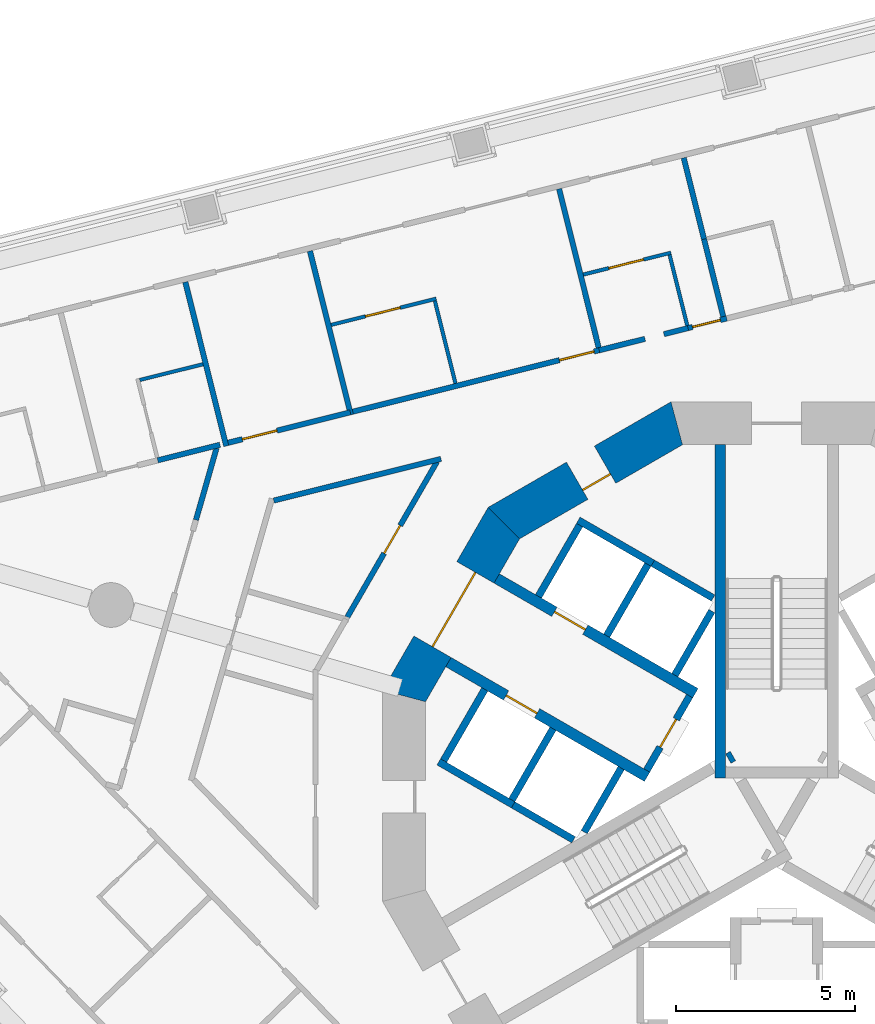
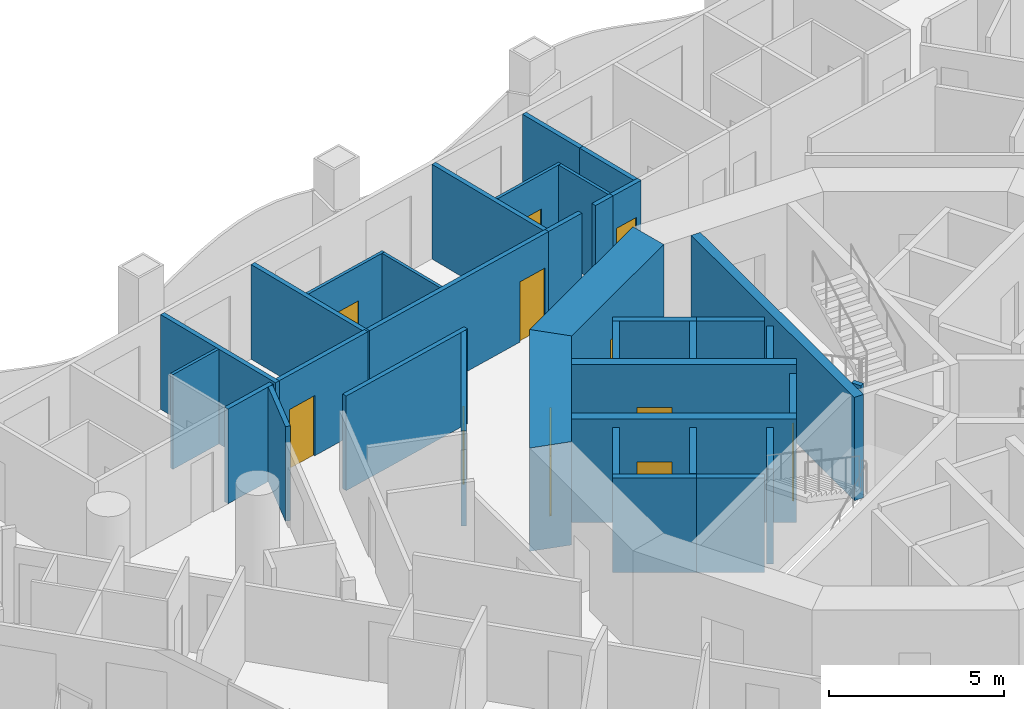
# One storey, part 7 of 19: 36 walls, 11 doors, 11 openings.
"""IFC4 building model written with IfcOpenShell, lengths in metres."""

from ifc_helpers import new_model, si_unit, direction, frame, frame_2d, origin, place, context, subcontext, project, spatial, polyline, rectangle, outline, extrude, material, layer, layer_set, type_object, element, fill, save


model = new_model("IFC4")

# Units and contexts
model_context = context("Model", 3, precision=1e-05, world=origin(), true_north=direction((0.0, 1.0)))
body_context = subcontext(model_context, "Body", "Model", "MODEL_VIEW")
ifc_project = project(units=[si_unit("LENGTHUNIT", "METRE"), si_unit("AREAUNIT", "SQUARE_METRE"), si_unit("VOLUMEUNIT", "CUBIC_METRE"), si_unit("PLANEANGLEUNIT", "RADIAN"), si_unit("MASSUNIT", "GRAM", prefix="KILO")], contexts=[model_context])

# Site, building, storey
site_placement = place(None, origin())
site = spatial("IfcSite", under=ifc_project, at=site_placement, CompositionType="ELEMENT")
building_placement = place(site_placement, origin())
building = spatial("IfcBuilding", under=site, at=building_placement, Name="Trine Commons Tower", CompositionType="ELEMENT")
storey_placement = place(building_placement, frame((0.0, 0.0, 105.300048828125)))
storey = spatial("IfcBuildingStorey", under=building, at=storey_placement, Name="L26", CompositionType="ELEMENT", Elevation=105.300048828125)

# Wall, opening, door
ifc_material_1 = material(Name="Fire-rated gypsum shaft wall system")
ifc_layer_1 = layer(ifc_material_1, 0.199951171875)
ifc_layer_set_1 = layer_set([ifc_layer_1], Name="Fire-rated gypsum shaft wall system")
wall_type_1 = type_object("IfcWallType", Name="Lobby end wall 200 mm, EI 120", PredefinedType="PARTITIONING", material=ifc_layer_set_1)
wall_1_placement = place(storey_placement, frame((77.569091796875, 65.2890625, 0.0), z_axis=(0.0, 0.0, 1.0), x_axis=(-0.50012165622, -0.865955154139, 0.0)))
wall_1 = element("IfcWall", 1, at=wall_1_placement, inside=storey, type_object=wall_type_1, Name="Lobby end wall L26", PredefinedType="PARTITIONING", context=body_context, shape_type="SweptSolid", body=[
    extrude(rectangle(XDim=2.39990234375, YDim=0.199951171875, at=frame_2d((1.199951171875, 0.0))), origin(), (0.0, 0.0, 1.0), 3.300048828125),
])
opening_1_placement = place(wall_1_placement, frame((0.749755859375, 0.0, 0.0)))
opening_1 = element("IfcOpeningElement", 2, at=opening_1_placement, cuts=wall_1, Name="Opening K05.07", PredefinedType="OPENING", context=body_context, shape_type="SweptSolid", body=[
    extrude(rectangle(XDim=0.89990234375, YDim=2.10009765625, at=frame_2d((0.449951171875, 1.050048828125))), frame((0.0, 0.10986328125, 0.0), z_axis=(0.0, -1.0, 0.0), x_axis=(1.0, 0.0, 0.0)), (0.0, 0.0, 1.0), 0.219970703125),
])
ifc_material_2 = material(Name="Steel door leaf, fire-rated", Category="steel")
door_type_1 = type_object("IfcDoorType", Name="Riser access door, single leaf 900 x 2100, FD60", OperationType="SINGLE_SWING_LEFT", PredefinedType="DOOR", material=ifc_material_2)
door_1_placement = place(opening_1_placement, frame((0.89990234375, 0.0, 0.0), z_axis=(0.0, 0.0, 1.0), x_axis=(-1.0, 0.0, 0.0)))
door_1 = element("IfcDoor", 3, at=door_1_placement, inside=storey, type_object=door_type_1, Name="Riser door, Mechanical riser L26", OperationType="SINGLE_SWING_RIGHT", OverallHeight=2.10009765625, OverallWidth=0.89990234375, PredefinedType="DOOR", context=body_context, shape_type="SweptSolid", body=[
    extrude(rectangle(XDim=0.89990234375, YDim=2.10009765625, at=frame_2d((0.449951171875, 1.050048828125))), frame((0.0, 0.02490234375, 0.0), z_axis=(0.0, -1.0, 0.0), x_axis=(1.0, 0.0, 0.0)), (0.0, 0.0, 1.0), 0.050048828125),
])
fill(opening_1, door_1)

ifc_material_3 = material(Name="Concrete C70/85", Category="concrete")
ifc_layer_2 = layer(ifc_material_3, 1.199951171875)
ifc_layer_set_2 = layer_set([ifc_layer_2], Name="Concrete C70/85")
wall_type_2 = type_object("IfcWallType", Name="RC shear wall 1200 mm, C70/85", PredefinedType="SHEAR", material=ifc_layer_set_2)
wall_2_placement = place(storey_placement, frame((77.349609375, 72.991943359375, 0.0), z_axis=(0.0, 0.0, 1.0), x_axis=(-0.866037463336, -0.499979111662, 0.0)))
wall_2 = element("IfcWall", 4, at=wall_2_placement, inside=storey, type_object=wall_type_2, Name="Core wall CWC-05 L26", PredefinedType="SHEAR", context=body_context, shape_type="SweptSolid", body=[
    extrude(outline(polyline([(0.0, -0.60009765625), (5.901123046875, -0.60009765625), (5.57958984375, 0.60009765625), (0.321533203125, 0.60009765625), (0.0, -0.60009765625)])), origin(), (0.0, 0.0, 1.0), 3.599853515625),
])
opening_2_placement = place(wall_2_placement, frame((2.474853515625, 0.0, 0.0)))
opening_2 = element("IfcOpeningElement", 5, at=opening_2_placement, cuts=wall_2, Name="Opening K05.12", PredefinedType="OPENING", context=body_context, shape_type="SweptSolid", body=[
    extrude(rectangle(XDim=0.89990234375, YDim=2.10009765625, at=frame_2d((0.449951171875, 1.050048828125))), frame((0.0, 0.60986328125, 0.0), z_axis=(0.0, -1.0, 0.0), x_axis=(1.0, 0.0, 0.0)), (0.0, 0.0, 1.0), 1.219970703125),
])
door_type_2 = type_object("IfcDoorType", Name="Core room door, single leaf 900 x 2100, FD30S", OperationType="SINGLE_SWING_LEFT", PredefinedType="DOOR", material=ifc_material_2)
door_2_placement = place(opening_2_placement, origin())
door_2 = element("IfcDoor", 6, at=door_2_placement, inside=storey, type_object=door_type_2, Name="Door to Accessible WC L26", OperationType="SINGLE_SWING_LEFT", OverallHeight=2.10009765625, OverallWidth=0.89990234375, PredefinedType="DOOR", context=body_context, shape_type="SweptSolid", body=[
    extrude(rectangle(XDim=0.89990234375, YDim=2.10009765625, at=frame_2d((0.449951171875, 1.050048828125))), frame((0.0, 0.3251953125, 0.0), z_axis=(0.0, -1.0, 0.0), x_axis=(1.0, 0.0, 0.0)), (0.0, 0.0, 1.0), 0.050048828125),
])
fill(opening_2, door_2)

wall_3_placement = place(storey_placement, frame((72.45849609375, 70.260986328125, 0.0), z_axis=(0.0, 0.0, 1.0), x_axis=(-0.499979111662, -0.866037463336, 0.0)))
wall_3 = element("IfcWall", 7, at=wall_3_placement, inside=storey, type_object=wall_type_2, Name="Core wall CWC-06 L26", PredefinedType="SHEAR", context=body_context, shape_type="SweptSolid", body=[
    extrude(outline(polyline([(0.0, -0.60009765625), (5.901123046875, -0.60009765625), (5.57958984375, 0.60009765625), (0.321533203125, 0.60009765625), (0.0, -0.60009765625)])), origin(), (0.0, 0.0, 1.0), 3.599853515625),
])
opening_3_placement = place(wall_3_placement, frame((1.75048828125, 0.0, 0.0)))
opening_3 = element("IfcOpeningElement", 8, at=opening_3_placement, cuts=wall_3, Name="Opening K05.06", PredefinedType="OPENING", context=body_context, shape_type="SweptSolid", body=[
    extrude(rectangle(XDim=2.39990234375, YDim=2.10009765625, at=frame_2d((1.199951171875, 1.050048828125))), frame((0.0, 0.60986328125, 0.0), z_axis=(0.0, -1.0, 0.0), x_axis=(1.0, 0.0, 0.0)), (0.0, 0.0, 1.0), 1.219970703125),
])
ifc_material_4 = material(Name="Steel door leaves, fire-rated", Category="steel")
door_type_3 = type_object("IfcDoorType", Name="Lobby door, double leaf 2400 x 2100, FD60", OperationType="DOUBLE_DOOR_SINGLE_SWING", PredefinedType="DOOR", material=ifc_material_4)
door_3_placement = place(opening_3_placement, origin())
door_3 = element("IfcDoor", 9, at=door_3_placement, inside=storey, type_object=door_type_3, Name="Lobby door, Passenger lift lobby B L26", OperationType="DOUBLE_DOOR_SINGLE_SWING", OverallHeight=2.10009765625, OverallWidth=2.39990234375, PredefinedType="DOOR", context=body_context, shape_type="SweptSolid", body=[
    extrude(rectangle(XDim=2.39990234375, YDim=2.10009765625, at=frame_2d((1.199951171875, 1.050048828125))), frame((0.0, 0.02490234375, 0.0), z_axis=(0.0, -1.0, 0.0), x_axis=(1.0, 0.0, 0.0)), (0.0, 0.0, 1.0), 0.050048828125),
])
fill(opening_3, door_3)

ifc_layer_3 = layer(ifc_material_3, 0.300048828125)
ifc_layer_set_3 = layer_set([ifc_layer_3], Name="Concrete C70/85")
wall_type_3 = type_object("IfcWallType", Name="RC shear wall 300 mm, C70/85", PredefinedType="SHEAR", material=ifc_layer_set_3)
wall_4_placement = place(storey_placement, frame((76.381103515625, 63.031005859375, 0.0), z_axis=(0.0, 0.0, 1.0), x_axis=(-0.866032150378, 0.499988314375, 0.0)))
wall_4 = element("IfcWall", 10, at=wall_4_placement, inside=storey, type_object=wall_type_3, Name="Core cross wall SWA-01 L26", PredefinedType="SHEAR", context=body_context, shape_type="SweptSolid", body=[
    extrude(rectangle(XDim=6.412353515625, YDim=0.300048828125, at=frame_2d((3.2060546875, 0.0))), origin(), (0.0, 0.0, 1.0), 3.599853515625),
])
opening_4_placement = place(wall_4_placement, frame((3.55029296875, 0.0, 0.0)))
opening_4 = element("IfcOpeningElement", 11, at=opening_4_placement, cuts=wall_4, Name="Opening LD3", PredefinedType="OPENING", context=body_context, shape_type="SweptSolid", body=[
    extrude(rectangle(XDim=1.0, YDim=2.10009765625, at=frame_2d((0.5, 1.050048828125))), frame((0.0, 0.159912109375, 0.0), z_axis=(0.0, -1.0, 0.0), x_axis=(1.0, 0.0, 0.0)), (0.0, 0.0, 1.0), 0.320068359375),
])
ifc_material_5 = material(Name="Stainless steel sliding door leaves", Category="steel")
door_type_4 = type_object("IfcDoorType", Name="Lift landing door, centre-opening sliding 1000 x 2100, FD90", OperationType="DOUBLE_DOOR_SLIDING", PredefinedType="DOOR", material=ifc_material_5)
door_4_placement = place(opening_4_placement, origin())
door_4 = element("IfcDoor", 12, at=door_4_placement, inside=storey, type_object=door_type_4, Name="Lift landing door LR3 L26", OperationType="DOUBLE_DOOR_SLIDING", OverallHeight=2.10009765625, OverallWidth=1.0, PredefinedType="DOOR", context=body_context, shape_type="SweptSolid", body=[
    extrude(rectangle(XDim=1.0, YDim=2.10009765625, at=frame_2d((0.5, 1.050048828125))), frame((0.0, 0.02490234375, 0.0), z_axis=(0.0, -1.0, 0.0), x_axis=(1.0, 0.0, 0.0)), (0.0, 0.0, 1.0), 0.050048828125),
])
fill(opening_4, door_4)

wall_5_placement = place(storey_placement, frame((77.73095703125, 65.368896484375, 0.0), z_axis=(0.0, 0.0, 1.0), x_axis=(-0.866022631842, 0.500004801114, 0.0)))
wall_5 = element("IfcWall", 13, at=wall_5_placement, inside=storey, type_object=wall_type_3, Name="Core cross wall SWA-02 L26", PredefinedType="SHEAR", context=body_context, shape_type="SweptSolid", body=[
    extrude(rectangle(XDim=6.412109375, YDim=0.300048828125, at=frame_2d((3.2060546875, 0.0))), origin(), (0.0, 0.0, 1.0), 3.599853515625),
])
opening_5_placement = place(wall_5_placement, frame((3.55029296875, 0.0, 0.0)))
opening_5 = element("IfcOpeningElement", 14, at=opening_5_placement, cuts=wall_5, Name="Opening LD4", PredefinedType="OPENING", context=body_context, shape_type="SweptSolid", body=[
    extrude(rectangle(XDim=1.0, YDim=2.10009765625, at=frame_2d((0.5, 1.050048828125))), frame((0.0, 0.159912109375, 0.0), z_axis=(0.0, -1.0, 0.0), x_axis=(1.0, 0.0, 0.0)), (0.0, 0.0, 1.0), 0.320068359375),
])
door_5_placement = place(opening_5_placement, origin())
door_5 = element("IfcDoor", 15, at=door_5_placement, inside=storey, type_object=door_type_4, Name="Lift landing door LR4 L26", OperationType="DOUBLE_DOOR_SLIDING", OverallHeight=2.10009765625, OverallWidth=1.0, PredefinedType="DOOR", context=body_context, shape_type="SweptSolid", body=[
    extrude(rectangle(XDim=1.0, YDim=2.10009765625, at=frame_2d((0.5, 1.050048828125))), frame((0.0, 0.02490234375, 0.0), z_axis=(0.0, -1.0, 0.0), x_axis=(1.0, 0.0, 0.0)), (0.0, 0.0, 1.0), 0.050048828125),
])
fill(opening_5, door_5)

# Walls
wall_6_placement = place(storey_placement, frame((78.425048828125, 63.0009765625, 0.0), z_axis=(0.0, 0.0, 1.0), x_axis=(0.0, 1.0, 0.0)))
element("IfcWall", 16, at=wall_6_placement, inside=storey, type_object=wall_type_3, Name="Core cross wall SWA-08 L26", PredefinedType="SHEAR", context=body_context, shape_type="SweptSolid", body=[
    extrude(rectangle(XDim=9.31103515625, YDim=0.300048828125, at=frame_2d((4.655517578125, 0.0))), origin(), (0.0, 0.0, 1.0), 3.599853515625),
])
wall_7_placement = place(storey_placement, frame((78.779052734375, 63.614013671875, 0.0), z_axis=(0.0, 0.0, 1.0), x_axis=(-0.867737973955, -0.497021939713, 0.0)))
element("IfcWall", 17, at=wall_7_placement, inside=storey, type_object=wall_type_3, Name="Core cross wall SWA-09 L26", PredefinedType="SHEAR", context=body_context, shape_type="SweptSolid", body=[
    extrude(rectangle(XDim=0.14892578125, YDim=0.300048828125, at=frame_2d((0.074462890625, 0.0))), origin(), (0.0, 0.0, 1.0), 3.599853515625),
])
ifc_layer_4 = layer(ifc_material_1, 0.199951171875)
ifc_layer_set_4 = layer_set([ifc_layer_4], Name="Fire-rated gypsum shaft wall system")
wall_type_4 = type_object("IfcWallType", Name="Shaft wall 200 mm, EI 120", PredefinedType="PARTITIONING", material=ifc_layer_set_4)
wall_8_placement = place(storey_placement, frame((71.844970703125, 65.47607421875, 0.0), z_axis=(0.0, 0.0, 1.0), x_axis=(-0.500136062276, -0.86594683394, 0.0)))
element("IfcWall", 18, at=wall_8_placement, inside=storey, type_object=wall_type_4, Name="Shaft wall L26", PredefinedType="PARTITIONING", context=body_context, shape_type="SweptSolid", body=[
    extrude(rectangle(XDim=2.299072265625, YDim=0.199951171875, at=frame_2d((1.1494140625, 0.0))), origin(), (0.0, 0.0, 1.0), 3.300048828125),
])
wall_9_placement = place(storey_placement, frame((72.637939453125, 62.248046875, 0.0), z_axis=(0.0, 0.0, 1.0), x_axis=(-0.866177122335, 0.499737123639, 0.0)))
element("IfcWall", 19, at=wall_9_placement, inside=storey, type_object=wall_type_4, Name="Shaft wall L26", PredefinedType="PARTITIONING", context=body_context, shape_type="SweptSolid", body=[
    extrude(rectangle(XDim=2.401123046875, YDim=0.199951171875, at=frame_2d((1.20068359375, 0.0))), origin(), (0.0, 0.0, 1.0), 3.300048828125),
])
wall_10_placement = place(storey_placement, frame((73.344970703125, 68.073974609375, 0.0), z_axis=(0.0, 0.0, 1.0), x_axis=(0.500215680983, 0.865900844496, 0.0)))
element("IfcWall", 20, at=wall_10_placement, inside=storey, type_object=wall_type_4, Name="Shaft wall L26", PredefinedType="PARTITIONING", context=body_context, shape_type="SweptSolid", body=[
    extrude(rectangle(XDim=2.29931640625, YDim=0.199951171875, at=frame_2d((1.149658203125, 0.0))), origin(), (0.0, 0.0, 1.0), 3.300048828125),
])
wall_11_placement = place(storey_placement, frame((73.7509765625, 64.3759765625, 0.0), z_axis=(0.0, 0.0, 1.0), x_axis=(-0.500136062276, -0.86594683394, 0.0)))
element("IfcWall", 21, at=wall_11_placement, inside=storey, type_object=wall_type_4, Name="Shaft wall L26", PredefinedType="PARTITIONING", context=body_context, shape_type="SweptSolid", body=[
    extrude(rectangle(XDim=2.299072265625, YDim=0.199951171875, at=frame_2d((1.1494140625, 0.0))), origin(), (0.0, 0.0, 1.0), 3.300048828125),
])
wall_12_placement = place(storey_placement, frame((74.324951171875, 61.27294921875, 0.0), z_axis=(0.0, 0.0, 1.0), x_axis=(-0.865780634835, 0.500423712812, 0.0)))
element("IfcWall", 22, at=wall_12_placement, inside=storey, type_object=wall_type_4, Name="Shaft wall L26", PredefinedType="PARTITIONING", context=body_context, shape_type="SweptSolid", body=[
    extrude(rectangle(XDim=1.948486328125, YDim=0.199951171875, at=frame_2d((0.97412109375, 0.0))), origin(), (0.0, 0.0, 1.0), 3.300048828125),
])
wall_13_placement = place(storey_placement, frame((75.2509765625, 66.97412109375, 0.0), z_axis=(0.0, 0.0, 1.0), x_axis=(0.500136062276, 0.86594683394, 0.0)))
element("IfcWall", 23, at=wall_13_placement, inside=storey, type_object=wall_type_4, Name="Shaft wall L26", PredefinedType="PARTITIONING", context=body_context, shape_type="SweptSolid", body=[
    extrude(rectangle(XDim=2.299072265625, YDim=0.199951171875, at=frame_2d((1.1494140625, 0.0))), origin(), (0.0, 0.0, 1.0), 3.300048828125),
])
wall_14_placement = place(storey_placement, frame((75.656005859375, 63.27587890625, 0.0), z_axis=(0.0, 0.0, 1.0), x_axis=(-0.500271688072, -0.86586848777, 0.0)))
element("IfcWall", 24, at=wall_14_placement, inside=storey, type_object=wall_type_4, Name="Shaft wall L26", PredefinedType="PARTITIONING", context=body_context, shape_type="SweptSolid", body=[
    extrude(rectangle(XDim=2.064697265625, YDim=0.199951171875, at=frame_2d((1.0322265625, 0.0))), origin(), (0.0, 0.0, 1.0), 3.300048828125),
])
wall_15_placement = place(storey_placement, frame((76.5380859375, 69.001953125, 0.0), z_axis=(0.0, 0.0, 1.0), x_axis=(-0.866202511239, 0.499693115345, 0.0)))
element("IfcWall", 25, at=wall_15_placement, inside=storey, type_object=wall_type_4, Name="Shaft wall L26", PredefinedType="PARTITIONING", context=body_context, shape_type="SweptSolid", body=[
    extrude(rectangle(XDim=2.4013671875, YDim=0.199951171875, at=frame_2d((1.20068359375, 0.0))), origin(), (0.0, 0.0, 1.0), 3.300048828125),
])
wall_16_placement = place(storey_placement, frame((77.156005859375, 65.8740234375, 0.0), z_axis=(0.0, 0.0, 1.0), x_axis=(0.499865770674, 0.866102887253, 0.0)))
element("IfcWall", 26, at=wall_16_placement, inside=storey, type_object=wall_type_4, Name="Shaft wall L26", PredefinedType="PARTITIONING", context=body_context, shape_type="SweptSolid", body=[
    extrude(rectangle(XDim=2.064453125, YDim=0.199951171875, at=frame_2d((1.0322265625, 0.0))), origin(), (0.0, 0.0, 1.0), 3.300048828125),
])
wall_17_placement = place(storey_placement, frame((78.22509765625, 68.028076171875, 0.0), z_axis=(0.0, 0.0, 1.0), x_axis=(-0.866052014814, 0.499953905513, 0.0)))
element("IfcWall", 27, at=wall_17_placement, inside=storey, type_object=wall_type_4, Name="Shaft wall L26", PredefinedType="PARTITIONING", context=body_context, shape_type="SweptSolid", body=[
    extrude(rectangle(XDim=1.947998046875, YDim=0.199951171875, at=frame_2d((0.97412109375, 0.0))), origin(), (0.0, 0.0, 1.0), 3.300048828125),
])
ifc_material_6 = material(Name="Gypsum plasterboard on steel stud", Category="steel")
ifc_layer_5 = layer(ifc_material_6, 0.14990234375)
ifc_layer_set_5 = layer_set([ifc_layer_5], Name="Gypsum plasterboard on steel stud")
wall_type_5 = type_object("IfcWallType", Name="Unit and corridor wall 150 mm, EI 60", PredefinedType="PARTITIONING", material=ifc_layer_set_5)
wall_18_placement = place(storey_placement, frame((62.705078125, 71.8759765625, 0.0), z_axis=(0.0, 0.0, 1.0), x_axis=(0.970318656337, 0.241829909573, 0.0)))
element("IfcWall", 28, at=wall_18_placement, inside=storey, type_object=wall_type_5, Name="Partition 027", PredefinedType="PARTITIONING", context=body_context, shape_type="SweptSolid", body=[
    extrude(rectangle(XDim=1.791015625, YDim=0.14990234375, at=frame_2d((0.8955078125, 0.0))), origin(), (0.0, 0.0, 1.0), 3.300048828125),
])
wall_19_placement = place(storey_placement, frame((63.476806640625, 76.858154296875, 0.0), z_axis=(0.0, 0.0, 1.0), x_axis=(0.242049130854, -0.970263994103, 0.0)))
element("IfcWall", 29, at=wall_19_placement, inside=storey, type_object=wall_type_5, Name="Partition 029", PredefinedType="PARTITIONING", context=body_context, shape_type="SweptSolid", body=[
    extrude(rectangle(XDim=4.723388671875, YDim=0.14990234375, at=frame_2d((2.36181640625, 0.0))), origin(), (0.0, 0.0, 1.0), 3.300048828125),
])
wall_20_placement = place(storey_placement, frame((63.77392578125, 70.2099609375, 0.0), z_axis=(0.0, 0.0, 1.0), x_axis=(0.275353680299, 0.961342993289, 0.0)))
element("IfcWall", 30, at=wall_20_placement, inside=storey, type_object=wall_type_5, Name="Partition 032", PredefinedType="PARTITIONING", context=body_context, shape_type="SweptSolid", body=[
    extrude(rectangle(XDim=2.08984375, YDim=0.14990234375, at=frame_2d((1.044921875, 0.0))), origin(), (0.0, 0.0, 1.0), 3.300048828125),
])

# Wall, opening, door
wall_21_placement = place(storey_placement, frame((64.6708984375, 72.3662109375, 0.0), z_axis=(0.0, 0.0, 1.0), x_axis=(0.97035426046, 0.241687006697, 0.0)))
wall_21 = element("IfcWall", 31, at=wall_21_placement, inside=storey, type_object=wall_type_5, Name="Partition 034", PredefinedType="PARTITIONING", context=body_context, shape_type="SweptSolid", body=[
    extrude(rectangle(XDim=3.520263671875, YDim=0.14990234375, at=frame_2d((1.76025390625, 0.0))), origin(), (0.0, 0.0, 1.0), 3.300048828125),
])
opening_6_placement = place(wall_21_placement, frame((0.41015625, 0.0, 0.0)))
opening_6 = element("IfcOpeningElement", 32, at=opening_6_placement, cuts=wall_21, Name="Opening D-3B09", PredefinedType="OPENING", context=body_context, shape_type="SweptSolid", body=[
    extrude(rectangle(XDim=1.0, YDim=2.10009765625, at=frame_2d((0.5, 1.050048828125))), frame((0.0, 0.0849609375, 0.0), z_axis=(0.0, -1.0, 0.0), x_axis=(1.0, 0.0, 0.0)), (0.0, 0.0, 1.0), 0.169921875),
])
ifc_material_7 = material(Name="Painted timber", Category="wood")
door_type_5 = type_object("IfcDoorType", Name="Amenity room door 1000 x 2100, NOT RATED", OperationType="NOTDEFINED", PredefinedType="DOOR", material=ifc_material_7)
door_6_placement = place(opening_6_placement, origin())
door_6 = element("IfcDoor", 33, at=door_6_placement, inside=storey, type_object=door_type_5, Name="Door D-3B09", OperationType="SINGLE_SWING_LEFT", OverallHeight=2.10009765625, OverallWidth=1.0, PredefinedType="DOOR", context=body_context, shape_type="SweptSolid", body=[
    extrude(rectangle(XDim=1.0, YDim=2.10009765625, at=frame_2d((0.5, 1.050048828125))), frame((0.0, 0.02490234375, 0.0), z_axis=(0.0, -1.0, 0.0), x_axis=(1.0, 0.0, 0.0)), (0.0, 0.0, 1.0), 0.050048828125),
])
fill(opening_6, door_6)

# Walls
wall_22_placement = place(storey_placement, frame((65.94677734375, 70.751220703125, 0.0), z_axis=(0.0, 0.0, 1.0), x_axis=(0.970300367674, 0.241903279206, 0.0)))
element("IfcWall", 34, at=wall_22_placement, inside=storey, type_object=wall_type_5, Name="Partition 038", PredefinedType="PARTITIONING", context=body_context, shape_type="SweptSolid", body=[
    extrude(rectangle(XDim=4.815185546875, YDim=0.14990234375, at=frame_2d((2.40771484375, 0.0))), origin(), (0.0, 0.0, 1.0), 3.300048828125),
])
wall_23_placement = place(storey_placement, frame((66.958740234375, 77.726318359375, 0.0), z_axis=(0.0, 0.0, 1.0), x_axis=(0.24185448203, -0.970312531879, 0.0)))
element("IfcWall", 35, at=wall_23_placement, inside=storey, type_object=wall_type_5, Name="Partition 039", PredefinedType="PARTITIONING", context=body_context, shape_type="SweptSolid", body=[
    extrude(rectangle(XDim=4.72314453125, YDim=0.14990234375, at=frame_2d((2.361572265625, 0.0))), origin(), (0.0, 0.0, 1.0), 3.300048828125),
])

# Wall, opening, door
wall_24_placement = place(storey_placement, frame((68.00244140625, 67.493896484375, 0.0), z_axis=(0.0, 0.0, 1.0), x_axis=(0.499945814907, 0.866056685303, 0.0)))
wall_24 = element("IfcWall", 36, at=wall_24_placement, inside=storey, type_object=wall_type_5, Name="Partition 044", PredefinedType="PARTITIONING", context=body_context, shape_type="SweptSolid", body=[
    extrude(rectangle(XDim=5.0146484375, YDim=0.14990234375, at=frame_2d((2.50732421875, 0.0))), origin(), (0.0, 0.0, 1.0), 3.300048828125),
])
opening_7_placement = place(wall_24_placement, frame((2.057373046875, 0.0, 0.0)))
opening_7 = element("IfcOpeningElement", 37, at=opening_7_placement, cuts=wall_24, Name="Opening D-3B40", PredefinedType="OPENING", context=body_context, shape_type="SweptSolid", body=[
    extrude(rectangle(XDim=0.89990234375, YDim=2.10009765625, at=frame_2d((0.449951171875, 1.050048828125))), frame((0.0, 0.0849609375, 0.0), z_axis=(0.0, -1.0, 0.0), x_axis=(1.0, 0.0, 0.0)), (0.0, 0.0, 1.0), 0.169921875),
])
ifc_material_8 = material(Name="Timber fire door set", Category="wood")
door_type_6 = type_object("IfcDoorType", Name="Service door 900 x 2100, FD30S", OperationType="NOTDEFINED", PredefinedType="DOOR", material=ifc_material_8)
door_7_placement = place(opening_7_placement, origin())
door_7 = element("IfcDoor", 38, at=door_7_placement, inside=storey, type_object=door_type_6, Name="Door D-3B40", OperationType="SINGLE_SWING_LEFT", OverallHeight=2.10009765625, OverallWidth=0.89990234375, PredefinedType="DOOR", context=body_context, shape_type="SweptSolid", body=[
    extrude(rectangle(XDim=0.89990234375, YDim=2.10009765625, at=frame_2d((0.449951171875, 1.050048828125))), frame((0.0, 0.02490234375, 0.0), z_axis=(0.0, -1.0, 0.0), x_axis=(1.0, 0.0, 0.0)), (0.0, 0.0, 1.0), 0.050048828125),
])
fill(opening_7, door_7)

wall_25_placement = place(storey_placement, frame((68.15185546875, 73.233154296875, 0.0), z_axis=(0.0, 0.0, 1.0), x_axis=(0.970264309974, 0.242047864671, 0.0)))
wall_25 = element("IfcWall", 39, at=wall_25_placement, inside=storey, type_object=wall_type_5, Name="Partition 045", PredefinedType="PARTITIONING", context=body_context, shape_type="SweptSolid", body=[
    extrude(rectangle(XDim=7.1845703125, YDim=0.14990234375, at=frame_2d((3.59228515625, 0.0))), origin(), (0.0, 0.0, 1.0), 3.300048828125),
])
opening_8_placement = place(wall_25_placement, frame((5.95556640625, 0.0, 0.0)))
opening_8 = element("IfcOpeningElement", 40, at=opening_8_placement, cuts=wall_25, Name="Opening D-3B10", PredefinedType="OPENING", context=body_context, shape_type="SweptSolid", body=[
    extrude(rectangle(XDim=1.0, YDim=2.10009765625, at=frame_2d((0.5, 1.050048828125))), frame((0.0, 0.0849609375, 0.0), z_axis=(0.0, -1.0, 0.0), x_axis=(1.0, 0.0, 0.0)), (0.0, 0.0, 1.0), 0.169921875),
])
door_type_7 = type_object("IfcDoorType", Name="Bedroom door 1000 x 2100, FD30S", OperationType="NOTDEFINED", PredefinedType="DOOR", material=ifc_material_8)
door_8_placement = place(opening_8_placement, origin())
door_8 = element("IfcDoor", 41, at=door_8_placement, inside=storey, type_object=door_type_7, Name="Door D-3B10", OperationType="SINGLE_SWING_RIGHT", OverallHeight=2.10009765625, OverallWidth=1.0, PredefinedType="DOOR", context=body_context, shape_type="SweptSolid", body=[
    extrude(rectangle(XDim=1.0, YDim=2.10009765625, at=frame_2d((0.5, 1.050048828125))), frame((0.0, 0.02490234375, 0.0), z_axis=(0.0, -1.0, 0.0), x_axis=(1.0, 0.0, 0.0)), (0.0, 0.0, 1.0), 0.050048828125),
])
fill(opening_8, door_8)

# Walls
wall_26_placement = place(storey_placement, frame((73.921630859375, 79.462158203125, 0.0), z_axis=(0.0, 0.0, 1.0), x_axis=(0.241945064156, -0.970289949412, 0.0)))
element("IfcWall", 42, at=wall_26_placement, inside=storey, type_object=wall_type_5, Name="Partition 056", PredefinedType="PARTITIONING", context=body_context, shape_type="SweptSolid", body=[
    extrude(rectangle(XDim=4.572021484375, YDim=0.14990234375, at=frame_2d((2.2861328125, 0.0))), origin(), (0.0, 0.0, 1.0), 3.300048828125),
])
wall_27_placement = place(storey_placement, frame((75.0419921875, 74.951904296875, 0.0), z_axis=(0.0, 0.0, 1.0), x_axis=(0.970305574553, 0.241882392893, 0.0)))
element("IfcWall", 43, at=wall_27_placement, inside=storey, type_object=wall_type_5, Name="Partition 058", PredefinedType="PARTITIONING", context=body_context, shape_type="SweptSolid", body=[
    extrude(rectangle(XDim=1.319091796875, YDim=0.14990234375, at=frame_2d((0.65966796875, 0.0))), origin(), (0.0, 0.0, 1.0), 3.300048828125),
])
wall_28_placement = place(storey_placement, frame((76.84912109375, 75.402099609375, 0.0), z_axis=(0.0, 0.0, 1.0), x_axis=(0.970471582377, 0.241215480013, 0.0)))
element("IfcWall", 44, at=wall_28_placement, inside=storey, type_object=wall_type_5, Name="Partition 062", PredefinedType="PARTITIONING", context=body_context, shape_type="SweptSolid", body=[
    extrude(rectangle(XDim=0.6962890625, YDim=0.14990234375, at=frame_2d((0.34814453125, 0.0))), origin(), (0.0, 0.0, 1.0), 3.300048828125),
])
wall_29_placement = place(storey_placement, frame((77.40380859375, 80.330078125, 0.0), z_axis=(0.0, 0.0, 1.0), x_axis=(0.24200944289, -0.97027389409, 0.0)))
element("IfcWall", 45, at=wall_29_placement, inside=storey, type_object=wall_type_5, Name="Partition 064", PredefinedType="PARTITIONING", context=body_context, shape_type="SweptSolid", body=[
    extrude(rectangle(XDim=2.40185546875, YDim=0.14990234375, at=frame_2d((1.200927734375, 0.0))), origin(), (0.0, 0.0, 1.0), 3.300048828125),
])

# Wall, opening, door
wall_30_placement = place(storey_placement, frame((77.468505859375, 75.556884765625, 0.0), z_axis=(0.0, 0.0, 1.0), x_axis=(0.970313954957, 0.241848772615, 0.0)))
wall_30 = element("IfcWall", 46, at=wall_30_placement, inside=storey, type_object=wall_type_5, Name="Partition 065", PredefinedType="PARTITIONING", context=body_context, shape_type="SweptSolid", body=[
    extrude(rectangle(XDim=1.1708984375, YDim=0.14990234375, at=frame_2d((0.58544921875, 0.0))), origin(), (0.0, 0.0, 1.0), 3.300048828125),
])
opening_9_placement = place(wall_30_placement, frame((0.186767578125, 0.0, 0.0)))
opening_9 = element("IfcOpeningElement", 47, at=opening_9_placement, cuts=wall_30, Name="Opening D-3B11", PredefinedType="OPENING", context=body_context, shape_type="SweptSolid", body=[
    extrude(rectangle(XDim=0.800048828125, YDim=2.10009765625, at=frame_2d((0.39990234375, 1.050048828125))), frame((0.0, 0.0849609375, 0.0), z_axis=(0.0, -1.0, 0.0), x_axis=(1.0, 0.0, 0.0)), (0.0, 0.0, 1.0), 0.169921875),
])
door_type_8 = type_object("IfcDoorType", Name="Bedroom door 800 x 2100, FD30S", OperationType="NOTDEFINED", PredefinedType="DOOR", material=ifc_material_8)
door_9_placement = place(opening_9_placement, origin())
door_9 = element("IfcDoor", 48, at=door_9_placement, inside=storey, type_object=door_type_8, Name="Door D-3B11", OperationType="SINGLE_SWING_RIGHT", OverallHeight=2.10009765625, OverallWidth=0.800048828125, PredefinedType="DOOR", context=body_context, shape_type="SweptSolid", body=[
    extrude(rectangle(XDim=0.800048828125, YDim=2.10009765625, at=frame_2d((0.39990234375, 1.050048828125))), frame((0.0, 0.02490234375, 0.0), z_axis=(0.0, -1.0, 0.0), x_axis=(1.0, 0.0, 0.0)), (0.0, 0.0, 1.0), 0.050048828125),
])
fill(opening_9, door_9)

# Walls
wall_31_placement = place(storey_placement, frame((77.970947265625, 78.055908203125, 0.0), z_axis=(0.0, 0.0, 1.0), x_axis=(0.24191686251, -0.970296981152, 0.0)))
element("IfcWall", 49, at=wall_31_placement, inside=storey, type_object=wall_type_5, Name="Partition 066", PredefinedType="PARTITIONING", context=body_context, shape_type="SweptSolid", body=[
    extrude(rectangle(XDim=2.228271484375, YDim=0.14990234375, at=frame_2d((1.1142578125, 0.0))), origin(), (0.0, 0.0, 1.0), 3.300048828125),
])
ifc_layer_6 = layer(ifc_material_6, 0.10009765625)
ifc_layer_set_6 = layer_set([ifc_layer_6], Name="Gypsum plasterboard on steel stud")
wall_type_6 = type_object("IfcWallType", Name="Unit partition 100 mm, no rating", PredefinedType="PARTITIONING", material=ifc_layer_set_6)
wall_32_placement = place(storey_placement, frame((62.201416015625, 74.1201171875, 0.0), z_axis=(0.0, 0.0, 1.0), x_axis=(0.970276128406, 0.242000484804, 0.0)))
element("IfcWall", 50, at=wall_32_placement, inside=storey, type_object=wall_type_6, Name="Partition 025", PredefinedType="PARTITIONING", context=body_context, shape_type="SweptSolid", body=[
    extrude(rectangle(XDim=1.824951171875, YDim=0.10009765625, at=frame_2d((0.91259765625, 0.0))), origin(), (0.0, 0.0, 1.0), 3.300048828125),
])

# Wall, opening, door
wall_33_placement = place(storey_placement, frame((67.55078125, 75.66015625, 0.0), z_axis=(0.0, 0.0, 1.0), x_axis=(0.970298931632, 0.241909039254, 0.0)))
wall_33 = element("IfcWall", 51, at=wall_33_placement, inside=storey, type_object=wall_type_6, Name="Partition 043", PredefinedType="PARTITIONING", context=body_context, shape_type="SweptSolid", body=[
    extrude(rectangle(XDim=3.025634765625, YDim=0.10009765625, at=frame_2d((1.5126953125, 0.0))), origin(), (0.0, 0.0, 1.0), 3.300048828125),
])
opening_10_placement = place(wall_33_placement, frame((0.98779296875, 0.0, 0.0)))
opening_10 = element("IfcOpeningElement", 52, at=opening_10_placement, cuts=wall_33, Name="Opening D-3B45", PredefinedType="OPENING", context=body_context, shape_type="SweptSolid", body=[
    extrude(rectangle(XDim=1.0, YDim=2.10009765625, at=frame_2d((0.5, 1.050048828125))), frame((0.0, 0.06005859375, 0.0), z_axis=(0.0, -1.0, 0.0), x_axis=(1.0, 0.0, 0.0)), (0.0, 0.0, 1.0), 0.1201171875),
])
door_type_9 = type_object("IfcDoorType", Name="Internal door 1000 x 2100, NOT RATED", OperationType="NOTDEFINED", PredefinedType="DOOR", material=ifc_material_7)
door_10_placement = place(opening_10_placement, origin())
door_10 = element("IfcDoor", 53, at=door_10_placement, inside=storey, type_object=door_type_9, Name="Door D-3B45", OperationType="SINGLE_SWING_LEFT", OverallHeight=2.10009765625, OverallWidth=1.0, PredefinedType="DOOR", context=body_context, shape_type="SweptSolid", body=[
    extrude(rectangle(XDim=1.0, YDim=2.10009765625, at=frame_2d((0.5, 1.050048828125))), frame((0.0, 0.02490234375, 0.0), z_axis=(0.0, -1.0, 0.0), x_axis=(1.0, 0.0, 0.0)), (0.0, 0.0, 1.0), 0.050048828125),
])
fill(opening_10, door_10)

# Wall
wall_34_placement = place(storey_placement, frame((70.4501953125, 76.33154296875, 0.0), z_axis=(0.0, 0.0, 1.0), x_axis=(0.241955150461, -0.970287434303, 0.0)))
element("IfcWall", 54, at=wall_34_placement, inside=storey, type_object=wall_type_6, Name="Partition 047", PredefinedType="PARTITIONING", context=body_context, shape_type="SweptSolid", body=[
    extrude(rectangle(XDim=2.375244140625, YDim=0.10009765625, at=frame_2d((1.1875, 0.0))), origin(), (0.0, 0.0, 1.0), 3.300048828125),
])

# Wall, opening, door
wall_35_placement = place(storey_placement, frame((74.5966796875, 77.067138671875, 0.0), z_axis=(0.0, 0.0, 1.0), x_axis=(0.970290214263, 0.241944002002, 0.0)))
wall_35 = element("IfcWall", 55, at=wall_35_placement, inside=storey, type_object=wall_type_6, Name="Partition 057", PredefinedType="PARTITIONING", context=body_context, shape_type="SweptSolid", body=[
    extrude(rectangle(XDim=2.524658203125, YDim=0.10009765625, at=frame_2d((1.26220703125, 0.0))), origin(), (0.0, 0.0, 1.0), 3.300048828125),
])
opening_11_placement = place(wall_35_placement, frame((0.7373046875, 0.0, 0.0)))
opening_11 = element("IfcOpeningElement", 56, at=opening_11_placement, cuts=wall_35, Name="Opening D-3B46", PredefinedType="OPENING", context=body_context, shape_type="SweptSolid", body=[
    extrude(rectangle(XDim=1.0, YDim=2.10009765625, at=frame_2d((0.5, 1.050048828125))), frame((0.0, 0.06005859375, 0.0), z_axis=(0.0, -1.0, 0.0), x_axis=(1.0, 0.0, 0.0)), (0.0, 0.0, 1.0), 0.1201171875),
])
door_11_placement = place(opening_11_placement, origin())
door_11 = element("IfcDoor", 57, at=door_11_placement, inside=storey, type_object=door_type_9, Name="Door D-3B46", OperationType="SINGLE_SWING_LEFT", OverallHeight=2.10009765625, OverallWidth=1.0, PredefinedType="DOOR", context=body_context, shape_type="SweptSolid", body=[
    extrude(rectangle(XDim=1.0, YDim=2.10009765625, at=frame_2d((0.5, 1.050048828125))), frame((0.0, 0.02490234375, 0.0), z_axis=(0.0, -1.0, 0.0), x_axis=(1.0, 0.0, 0.0)), (0.0, 0.0, 1.0), 0.050048828125),
])
fill(opening_11, door_11)

# Wall
wall_36_placement = place(storey_placement, frame((77.010009765625, 77.617431640625, 0.0), z_axis=(0.0, 0.0, 1.0), x_axis=(0.242084199174, -0.970255245031, 0.0)))
element("IfcWall", 58, at=wall_36_placement, inside=storey, type_object=wall_type_6, Name="Partition 063", PredefinedType="PARTITIONING", context=body_context, shape_type="SweptSolid", body=[
    extrude(rectangle(XDim=2.0361328125, YDim=0.10009765625, at=frame_2d((1.01806640625, 0.0))), origin(), (0.0, 0.0, 1.0), 3.300048828125),
])

save(model, "model.ifc")
